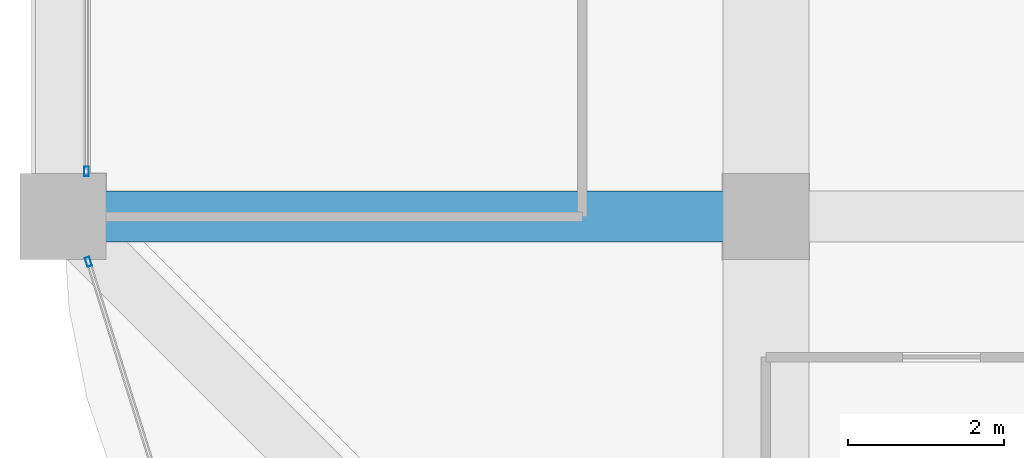
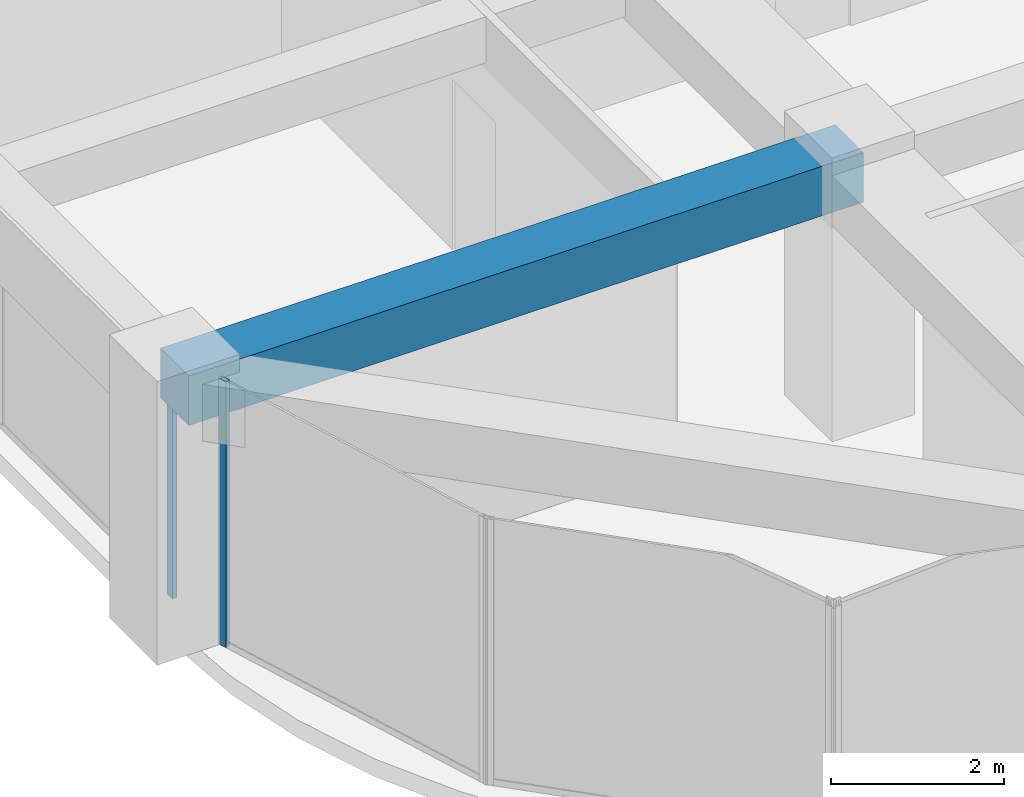
# One storey, part 6 of 44: 2 members, 1 beam, 2 elements without a shape of their own.
"""IFC4 building model written with IfcOpenShell, lengths in metres."""

import ifcopenshell
import ifcopenshell.guid

model = None  # the IFC model being written
_history = None  # IfcOwnerHistory: only IFC2X3 demands one
_inside = {}  # id of a spatial element -> (the spatial element, [elements in it])
_under = {}  # id of a project, library or spatial element -> (it, [spatial elements below it])
_declared = {}  # id of a project -> (the project, [libraries it declares])
_typed = {}  # id of a type object -> (the type object, [elements of that type])
_made_of = {}  # id of a material, layer set ... -> (it, [elements and type objects made of it])


def new_model(schema):
    """Start an empty IFC model of exactly this schema.

    Asked for "IFC4X3", IfcOpenShell would pick the latest addendum, in which some entities
    have other attributes; the version numbers below select the first issue.
    IFC2X3 requires an IfcOwnerHistory on every rooted entity: one is made here for all.
    """
    global model, _history
    if schema == "IFC4X3":
        model = ifcopenshell.file(schema_version=(4, 3, 0, 0))
    else:
        model = ifcopenshell.file(schema=schema)
    _inside.clear()
    _under.clear()
    _declared.clear()
    _typed.clear()
    _made_of.clear()
    _history = None
    if model.schema == "IFC2X3":
        org = make("IfcOrganization", Name="unknown")
        user = make(
            "IfcPersonAndOrganization",
            ThePerson=make("IfcPerson", FamilyName="unknown"),
            TheOrganization=org,
        )
        app = make(
            "IfcApplication",
            ApplicationDeveloper=org,
            Version="unknown",
            ApplicationFullName="unknown",
            ApplicationIdentifier="unknown",
        )
        _history = make(
            "IfcOwnerHistory",
            OwningUser=user,
            OwningApplication=app,
            ChangeAction="ADDED",
            CreationDate=0,
        )
    return model


def make(cls, **values):
    """One entity of the class cls with the attributes given. An attribute that is None is left unset."""
    return model.create_entity(
        cls, **{name: value for name, value in values.items() if value is not None}
    )


def rooted(cls, **values):
    """An entity with a GlobalId (a new one), such as an element, a storey or a relation."""
    return make(cls, GlobalId=ifcopenshell.guid.new(), OwnerHistory=_history, **values)


def si_unit(unit_type, name, prefix=None):
    """IfcSIUnit, for example si_unit("LENGTHUNIT", "METRE", prefix="MILLI")."""
    return make("IfcSIUnit", UnitType=unit_type, Prefix=prefix, Name=name)


def assignment(units):
    """IfcUnitAssignment: the units of a project."""
    return None if units is None else make("IfcUnitAssignment", Units=units)


def point(xyz):
    """IfcCartesianPoint."""
    return None if xyz is None else make("IfcCartesianPoint", Coordinates=xyz)


def direction(xyz):
    """IfcDirection."""
    return None if xyz is None else make("IfcDirection", DirectionRatios=xyz)


def frame(location, z_axis=None, x_axis=None):
    """IfcAxis2Placement3D, a coordinate frame: its origin and axes. An axis left out is left unset."""
    return make(
        "IfcAxis2Placement3D",
        Location=point(location),
        Axis=direction(z_axis),
        RefDirection=direction(x_axis),
    )


def frame_2d(location, x_axis=None):
    """IfcAxis2Placement2D, a coordinate frame in the plane: its origin and x axis."""
    return make(
        "IfcAxis2Placement2D", Location=point(location), RefDirection=direction(x_axis)
    )


def origin():
    """The frame at (0, 0, 0) with its axes left unset."""
    return frame((0.0, 0.0, 0.0))


def origin_2d():
    """The frame at (0, 0) in the plane with its x axis left unset."""
    return frame_2d((0.0, 0.0))


def place(relative_to, where):
    """IfcLocalPlacement: puts the frame where relative to a parent placement (None: the world)."""
    return make(
        "IfcLocalPlacement", PlacementRelTo=relative_to, RelativePlacement=where
    )


def context(
    kind, dimensions, precision=None, world=None, true_north=None, identifier=None
):
    """IfcGeometricRepresentationContext, for example the 3D "Model" context."""
    return make(
        "IfcGeometricRepresentationContext",
        ContextIdentifier=identifier,
        ContextType=kind,
        CoordinateSpaceDimension=dimensions,
        Precision=precision,
        WorldCoordinateSystem=world,
        TrueNorth=true_north,
    )


def subcontext(parent, identifier, kind, view, scale=None):
    """IfcGeometricRepresentationSubContext, for example "Body" below "Model"."""
    return make(
        "IfcGeometricRepresentationSubContext",
        ContextIdentifier=identifier,
        ContextType=kind,
        ParentContext=parent,
        TargetScale=scale,
        TargetView=view,
    )


def project(units=None, contexts=None):
    """IfcProject with its units and contexts."""
    return rooted(
        "IfcProject",
        Name="project",
        RepresentationContexts=contexts,
        UnitsInContext=assignment(units),
    )


def spatial(cls, under=None, at=None, **own):
    """A site, building, storey or space (cls), placed at a placement, below another one or the project."""
    s = rooted(cls, ObjectPlacement=at, **own)
    if under is not None:
        _under.setdefault(under.id(), (under, []))[1].append(s)
    return s


def profile(cls, at=None, kind="AREA", **sizes):
    """A parametric profile (cls). Its sizes go by their IFC names, for example OverallWidth=200.0."""
    return make(cls, ProfileType=kind, Position=at, **sizes)


def rectangle(**sizes):
    """IfcRectangleProfileDef."""
    return profile("IfcRectangleProfileDef", **sizes)


def hollow_rectangle(**sizes):
    """IfcRectangleHollowProfileDef."""
    return profile("IfcRectangleHollowProfileDef", **sizes)


def extrude(swept, where, along, depth):
    """IfcExtrudedAreaSolid: the profile swept, set in the frame where, extruded along a direction by depth."""
    return make(
        "IfcExtrudedAreaSolid",
        SweptArea=swept,
        Position=where,
        ExtrudedDirection=direction(along),
        Depth=depth,
    )


def shape(context_of_items, identifier, shape_type, items):
    """IfcShapeRepresentation: the items that make up one representation, for example the "Body"."""
    return make(
        "IfcShapeRepresentation",
        ContextOfItems=context_of_items,
        RepresentationIdentifier=identifier,
        RepresentationType=shape_type,
        Items=items,
    )


def material(Name=None, Category=None):
    """IfcMaterial."""
    return make("IfcMaterial", Name=Name, Category=Category)


def material_profile(
    of_material, cross_section, Name=None, Category=None, Priority=None
):
    """IfcMaterialProfile: a cross section and its material."""
    return make(
        "IfcMaterialProfile",
        Name=Name,
        Material=of_material,
        Profile=cross_section,
        Priority=Priority,
        Category=Category,
    )


def profile_set(profiles, Name=None, composite=None):
    """IfcMaterialProfileSet."""
    return make(
        "IfcMaterialProfileSet",
        Name=Name,
        MaterialProfiles=profiles,
        CompositeProfile=composite,
    )


def made_of(thing, what):
    """Note that an element or type object is made of a material, layer set ...; save() writes the relation."""
    if what is not None:
        _made_of.setdefault(what.id(), (what, []))[1].append(thing)
    return thing


def type_object(cls, material=None, **own):
    """A type object (cls), such as IfcWallType, which elements share."""
    return made_of(rooted(cls, **own), material)


def element(
    cls,
    number,
    at=None,
    inside=None,
    cuts=None,
    type_object=None,
    material=None,
    context=None,
    identifier="Body",
    shape_type=None,
    held_by="IfcProductDefinitionShape",
    body=None,
    shapes=None,
    **own,
):
    """One element of the class cls, such as IfcWall. Its Tag is "e" and its number.

    at: its placement. inside: the storey or other place that contains it. cuts: it is an
    opening in that element (IfcRelVoidsElement). A single representation is given by context,
    identifier, shape_type and body (its items); several are given by shapes. held_by: the class
    of the entity that holds the representations. save() writes the other relations.
    """
    e = rooted(cls, Tag="e%d" % number, ObjectPlacement=at, **own)
    if body is not None:
        shapes = [shape(context, identifier, shape_type, body)]
    if shapes is not None:
        e.Representation = make(held_by, Representations=shapes)
    if inside is not None:
        _inside.setdefault(inside.id(), (inside, []))[1].append(e)
    if cuts is not None:
        rooted(
            "IfcRelVoidsElement", RelatingBuildingElement=cuts, RelatedOpeningElement=e
        )
    if type_object is not None:
        _typed.setdefault(type_object.id(), (type_object, []))[1].append(e)
    return made_of(e, material)


def aggregate(whole, parts):
    """IfcRelAggregates: a whole, such as a stair, and the parts it consists of."""
    return rooted("IfcRelAggregates", RelatingObject=whole, RelatedObjects=parts)


def save(model, path):
    """Write the relations noted so far, then the file.

    IfcRelAggregates (storeys below a building ...), IfcRelContainedInSpatialStructure (elements
    in a storey), IfcRelDefinesByType, IfcRelAssociatesMaterial and IfcRelDeclares: one each for
    every whole, place, type object, material and project.
    """
    for whole, parts in _under.values():
        aggregate(whole, parts)
    for where, things in _inside.values():
        rooted(
            "IfcRelContainedInSpatialStructure",
            RelatedElements=things,
            RelatingStructure=where,
        )
    for kind, things in _typed.values():
        rooted("IfcRelDefinesByType", RelatedObjects=things, RelatingType=kind)
    for what, things in _made_of.values():
        rooted("IfcRelAssociatesMaterial", RelatedObjects=things, RelatingMaterial=what)
    for by, libraries in _declared.values():
        rooted("IfcRelDeclares", RelatingContext=by, RelatedDefinitions=libraries)
    model.write(path)


model = new_model("IFC4")

# Units and contexts
model_context = context("Model", 3, precision=1e-05, world=origin(), true_north=direction((0.0, 1.0)))
body_context = subcontext(model_context, "Body", "Model", "MODEL_VIEW")
ifc_project = project(units=[si_unit("LENGTHUNIT", "METRE"), si_unit("AREAUNIT", "SQUARE_METRE"), si_unit("VOLUMEUNIT", "CUBIC_METRE"), si_unit("PLANEANGLEUNIT", "RADIAN"), si_unit("MASSUNIT", "GRAM", prefix="KILO")], contexts=[model_context])

# Site, building, storey
site_placement = place(None, origin())
site = spatial("IfcSite", under=ifc_project, at=site_placement, CompositionType="ELEMENT")
building_placement = place(site_placement, origin())
building = spatial("IfcBuilding", under=site, at=building_placement, Name="Zorevar Civic Tower", CompositionType="ELEMENT")
storey_placement = place(building_placement, frame((0.0, 0.0, 283.39990234375)))
storey = spatial("IfcBuildingStorey", under=building, at=storey_placement, Name="L69", CompositionType="ELEMENT", Elevation=283.39990234375)

# Beam
ifc_material_1 = material(Name="Concrete C50/60", Category="concrete")
ifc_material_profile_1 = material_profile(ifc_material_1, rectangle(XDim=0.64990234375, YDim=0.699951171875, at=origin_2d()), Name="RC 650x700")
ifc_profile_set_1 = profile_set([ifc_material_profile_1], Name="Concrete C50/60")
beam_type = type_object("IfcBeamType", Name="Beam RC 650x700", PredefinedType="BEAM", material=ifc_profile_set_1)
beam_placement = place(storey_placement, frame((9.0, 9.0, 3.400146484375), z_axis=(1.0, 0.0, 0.0), x_axis=(0.0, 1.0, 0.0)))
element("IfcBeam", 1, at=beam_placement, inside=storey, type_object=beam_type, Name="Girder L70", PredefinedType="BEAM", context=body_context, shape_type="SweptSolid", body=[
    extrude(rectangle(XDim=0.64990234375, YDim=0.699951171875, at=origin_2d()), origin(), (0.0, 0.0, 1.0), 9.0),
])

# Curtain wall, member
ifc_material_2 = material(Name="Dark grey solar-control glass in black aluminium frame", Category="aluminium")
curtain_wall_type = type_object("IfcCurtainWallType", Name="Curtain wall CW5 top zone", PredefinedType="NOTDEFINED", material=ifc_material_2)
curtain_wall_1_placement = place(storey_placement, origin())
curtain_wall_1 = element("IfcCurtainWall", 2, at=curtain_wall_1_placement, inside=storey, type_object=curtain_wall_type, Name="CW5 L69", PredefinedType="NOTDEFINED")
ifc_material_3 = material(Name="Aluminium, black anodised", Category="aluminium")
ifc_material_profile_2 = material_profile(ifc_material_3, hollow_rectangle(XDim=0.06005859375, YDim=0.1201171875, WallThickness=0.0029296875, at=origin_2d()), Name="AL 120x60x3")
ifc_profile_set_2 = profile_set([ifc_material_profile_2], Name="Aluminium, black anodised")
member_type = type_object("IfcMemberType", Name="CW5 mullion AL 120x60x3", PredefinedType="MULLION", material=ifc_profile_set_2)
member_1_placement = place(storey_placement, frame((9.300048828125, 9.580078125, 0.0), z_axis=(0.0, 0.0, 1.0), x_axis=(-1.0, 0.0, 0.0)))
member_1 = element("IfcMember", 3, at=member_1_placement, type_object=member_type, Name="CW5 mullion 1", PredefinedType="MULLION", context=body_context, shape_type="SweptSolid", body=[
    extrude(hollow_rectangle(XDim=0.06005859375, YDim=0.1201171875, WallThickness=0.0029296875, at=origin_2d()), origin(), (0.0, 0.0, 1.0), 2.9501953125),
])
aggregate(curtain_wall_1, [member_1])

curtain_wall_2_placement = place(storey_placement, origin())
curtain_wall_2 = element("IfcCurtainWall", 4, at=curtain_wall_2_placement, inside=storey, type_object=curtain_wall_type, Name="CW5 L69", PredefinedType="NOTDEFINED")
member_2_placement = place(storey_placement, frame((9.326416015625, 8.42138671875, 0.0), z_axis=(0.0, 0.0, 1.0), x_axis=(0.954153437674, 0.299317920238, 0.0)))
member_2 = element("IfcMember", 5, at=member_2_placement, type_object=member_type, Name="CW5 mullion 1", PredefinedType="MULLION", context=body_context, shape_type="SweptSolid", body=[
    extrude(hollow_rectangle(XDim=0.06005859375, YDim=0.1201171875, WallThickness=0.0029296875, at=origin_2d()), origin(), (0.0, 0.0, 1.0), 3.75),
])
aggregate(curtain_wall_2, [member_2])

save(model, "model.ifc")
